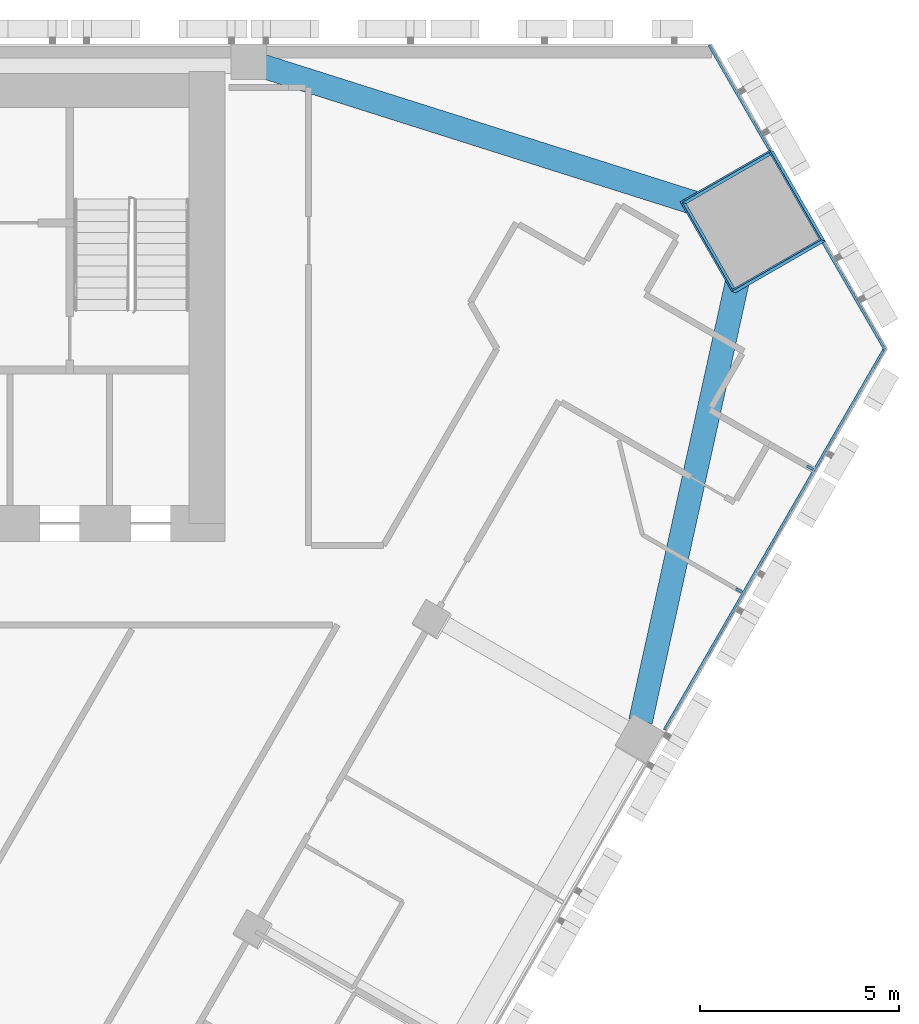
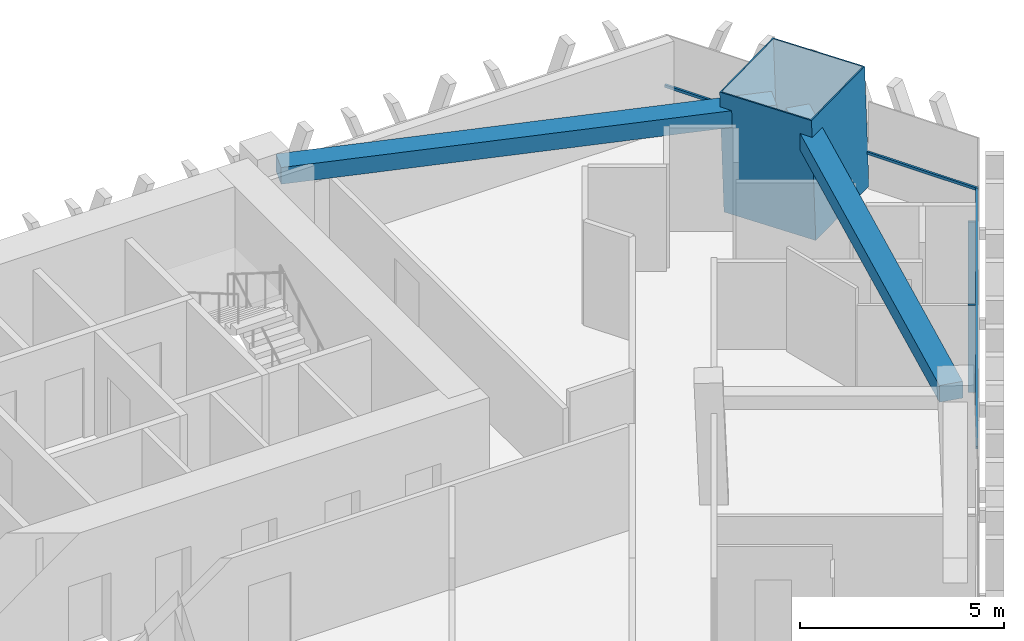
# One storey, part 7 of 16: 6 members, 2 beams, 2 elements without a shape of their own.
"""IFC4 building model written with IfcOpenShell, lengths in metres."""

from ifc_helpers import new_model, si_unit, direction, frame, origin, origin_2d, place, context, subcontext, project, spatial, rectangle, hollow_rectangle, extrude, material, layer, layer_set, material_profile, profile_set, type_object, element, aggregate, save


model = new_model("IFC4")

# Units and contexts
model_context = context("Model", 3, precision=1e-05, world=origin(), true_north=direction((0.0, 1.0)))
body_context = subcontext(model_context, "Body", "Model", "MODEL_VIEW")
ifc_project = project(units=[si_unit("LENGTHUNIT", "METRE"), si_unit("AREAUNIT", "SQUARE_METRE"), si_unit("VOLUMEUNIT", "CUBIC_METRE"), si_unit("PLANEANGLEUNIT", "RADIAN"), si_unit("MASSUNIT", "GRAM", prefix="KILO")], contexts=[model_context])

# Site, building, storey
site_placement = place(None, origin())
site = spatial("IfcSite", under=ifc_project, at=site_placement, CompositionType="ELEMENT")
building_placement = place(site_placement, origin())
building = spatial("IfcBuilding", under=site, at=building_placement, Name="Altiplano Prism Tower", CompositionType="ELEMENT")
storey_placement = place(building_placement, frame((0.0, 0.0, 81.0)))
storey = spatial("IfcBuildingStorey", under=building, at=storey_placement, Name="L20", CompositionType="ELEMENT", Elevation=81.0)

# Curtain wall, members
ifc_material_1 = material(Name="Aluminium and glass", Category="aluminium")
ifc_layer = layer(ifc_material_1, 0.280029296875)
ifc_layer_set = layer_set([ifc_layer], Name="Aluminium and glass")
curtain_wall_type = type_object("IfcCurtainWallType", Name="CW1 typical co-living unitised curtain wall", PredefinedType="NOTDEFINED", material=ifc_layer_set)
curtain_wall_1_placement = place(storey_placement, origin())
curtain_wall_1 = element("IfcCurtainWall", 1, at=curtain_wall_1_placement, inside=storey, type_object=curtain_wall_type, Name="CW1 curtain wall south-east face L20", PredefinedType="NOTDEFINED")
ifc_material_2 = material(Name="Aluminium", Category="aluminium")
ifc_material_profile_1 = material_profile(ifc_material_2, rectangle(XDim=0.179931640625, YDim=0.06494140625, at=origin_2d()), Name="CW1 mullion 65 x 180")
ifc_profile_set_1 = profile_set([ifc_material_profile_1], Name="Aluminium")
member_type_1 = type_object("IfcMemberType", Name="CW1 mullion 65 x 180", PredefinedType="MULLION", material=ifc_profile_set_1)
member_1_placement = place(storey_placement, frame((110.822021484375, 91.26171875, 0.0), z_axis=(0.0, 0.0, 1.0), x_axis=(-0.866025400215, 0.500000006182, 0.0)))
member_1 = element("IfcMember", 2, at=member_1_placement, type_object=member_type_1, Name="CW1 mullion", PredefinedType="MULLION", context=body_context, shape_type="SweptSolid", body=[
    extrude(rectangle(XDim=0.179931640625, YDim=0.06494140625, at=origin_2d()), origin(), (0.0, 0.0, 1.0), 2.60009765625),
])
member_2_placement = place(storey_placement, frame((112.60400390625, 94.34814453125, 0.0), z_axis=(0.0, 0.0, 1.0), x_axis=(-0.866025400215, 0.500000006182, 0.0)))
member_2 = element("IfcMember", 3, at=member_2_placement, type_object=member_type_1, Name="CW1 mullion", PredefinedType="MULLION", context=body_context, shape_type="SweptSolid", body=[
    extrude(rectangle(XDim=0.179931640625, YDim=0.06494140625, at=origin_2d()), origin(), (0.0, 0.0, 1.0), 2.60009765625),
])
ifc_material_profile_2 = material_profile(ifc_material_2, rectangle(XDim=0.06005859375, YDim=0.080078125, at=origin_2d()), Name="CW1 transom 80 x 60")
ifc_profile_set_2 = profile_set([ifc_material_profile_2], Name="Aluminium")
member_type_2 = type_object("IfcMemberType", Name="CW1 transom 80 x 60", PredefinedType="USERDEFINED", material=ifc_profile_set_2)
member_3_placement = place(storey_placement, frame((108.94091796875, 87.76318359375, 1.10009765625), z_axis=(0.499997931106, 0.866026598257, 0.0), x_axis=(-0.866026598257, 0.499997931106, 0.0)))
member_3 = element("IfcMember", 4, at=member_3_placement, type_object=member_type_2, Name="CW1 transom", ObjectType="TRANSOM", PredefinedType="USERDEFINED", context=body_context, shape_type="SweptSolid", body=[
    extrude(rectangle(XDim=0.06005859375, YDim=0.080078125, at=origin_2d()), origin(), (0.0, 0.0, 1.0), 11.09814453125),
])
aggregate(curtain_wall_1, [member_1, member_2, member_3])

curtain_wall_2_placement = place(storey_placement, origin())
curtain_wall_2 = element("IfcCurtainWall", 5, at=curtain_wall_2_placement, inside=storey, type_object=curtain_wall_type, Name="CW1 curtain wall north-east chamfer L20", PredefinedType="NOTDEFINED")
member_4_placement = place(storey_placement, frame((114.489990234375, 97.3046875, 1.10009765625), z_axis=(-0.499981884921, 0.866035862278, 0.0), x_axis=(-0.866035862278, -0.499981884921, 0.0)))
member_4 = element("IfcMember", 6, at=member_4_placement, type_object=member_type_2, Name="CW1 transom", ObjectType="TRANSOM", PredefinedType="USERDEFINED", context=body_context, shape_type="SweptSolid", body=[
    extrude(rectangle(XDim=0.06005859375, YDim=0.080078125, at=origin_2d()), origin(), (0.0, 0.0, 1.0), 3.12255859375),
])
member_5_placement = place(storey_placement, frame((111.588623046875, 102.329833984375, 1.10009765625), z_axis=(-0.499944708657, 0.866057323903, 0.0), x_axis=(-0.866057323903, -0.499944708657, 0.0)))
member_5 = element("IfcMember", 7, at=member_5_placement, type_object=member_type_2, Name="CW1 transom", ObjectType="TRANSOM", PredefinedType="USERDEFINED", context=body_context, shape_type="SweptSolid", body=[
    extrude(rectangle(XDim=0.06005859375, YDim=0.080078125, at=origin_2d()), origin(), (0.0, 0.0, 1.0), 3.042724609375),
])
aggregate(curtain_wall_2, [member_4, member_5])

# Beams
ifc_material_3 = material(Name="Concrete C60/75", Category="concrete")
ifc_material_profile_3 = material_profile(ifc_material_3, rectangle(XDim=0.60009765625, YDim=0.5, at=origin_2d()), Name="Edge beam 600x500")
ifc_profile_set_3 = profile_set([ifc_material_profile_3], Name="Concrete C60/75")
beam_type = type_object("IfcBeamType", Name="Edge beam 600x500", PredefinedType="SPANDREL", material=ifc_profile_set_3)
beam_1_placement = place(storey_placement, frame((108.3427734375, 87.976806640625, 2.85009765625), z_axis=(0.214976833833, 0.976619148346, 0.0), x_axis=(-0.976619148346, 0.214976833833, 0.0)))
element("IfcBeam", 8, at=beam_1_placement, inside=storey, type_object=beam_type, Name="Edge beam P24-M2 L21", PredefinedType="SPANDREL", context=body_context, shape_type="SweptSolid", body=[
    extrude(rectangle(XDim=0.60009765625, YDim=0.5, at=origin_2d()), origin(), (0.0, 0.0, 1.0), 12.427490234375),
])
beam_2_placement = place(storey_placement, frame((110.68212890625, 100.689208984375, 2.85009765625), z_axis=(-0.95327218217, 0.302112804596, 0.0), x_axis=(-0.302112804596, -0.95327218217, 0.0)))
element("IfcBeam", 9, at=beam_2_placement, inside=storey, type_object=beam_type, Name="Edge beam M2-P01 L21", PredefinedType="SPANDREL", context=body_context, shape_type="SweptSolid", body=[
    extrude(rectangle(XDim=0.60009765625, YDim=0.5, at=origin_2d()), origin(), (0.0, 0.0, 1.0), 12.42724609375),
])

# Member
ifc_material_4 = material(Name="Steel S460", Category="steel")
ifc_material_profile_4 = material_profile(ifc_material_4, hollow_rectangle(XDim=2.60009765625, YDim=2.60009765625, WallThickness=0.0400390625, at=origin_2d()), Name="Mega column tube 2600")
ifc_profile_set_4 = profile_set([ifc_material_profile_4], Name="Steel S460")
member_type_3 = type_object("IfcMemberType", Name="Mega column tube 2600", PredefinedType="POST", material=ifc_profile_set_4)
member_6_placement = place(storey_placement, frame((111.21337890625, 100.519775390625, 0.0), z_axis=(-0.028334066552, 0.009286524205, 0.999555371723), x_axis=(0.498275404519, -0.866735139792, 0.022176985843)))
element("IfcMember", 10, at=member_6_placement, inside=storey, type_object=member_type_3, Name="Mega column tube M2 L20", PredefinedType="POST", context=body_context, shape_type="SweptSolid", body=[
    extrude(hollow_rectangle(XDim=2.60009765625, YDim=2.60009765625, WallThickness=0.0400390625, at=origin_2d()), origin(), (0.0, 0.0, 1.0), 3.601806640625),
])

save(model, "model.ifc")
